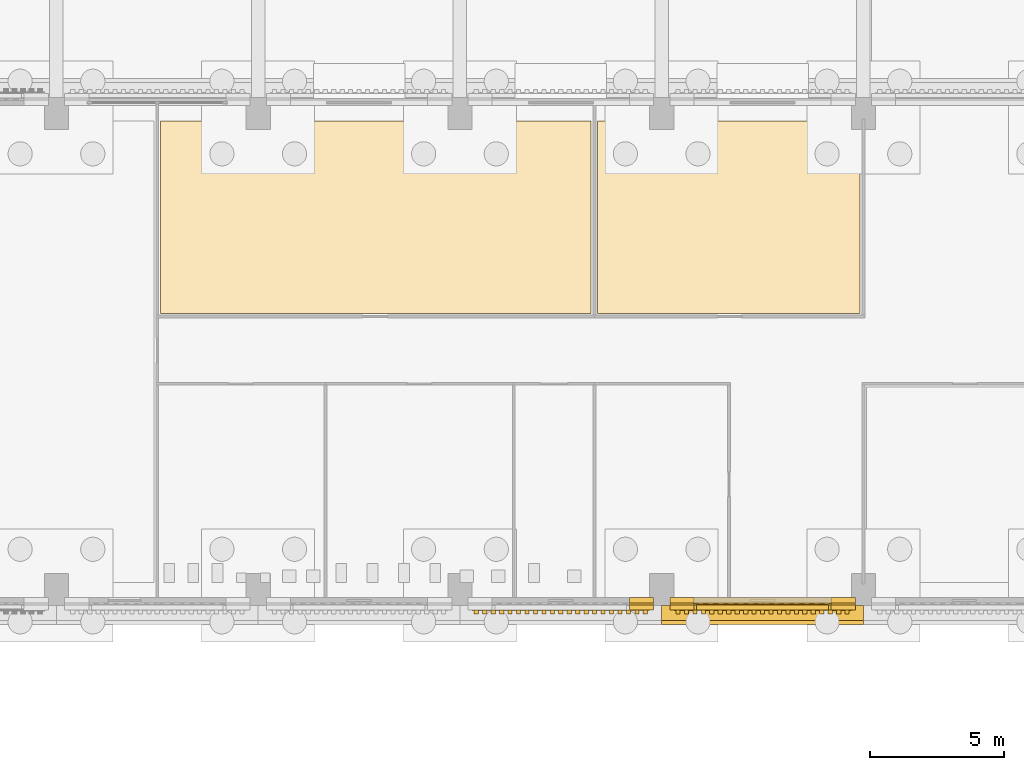
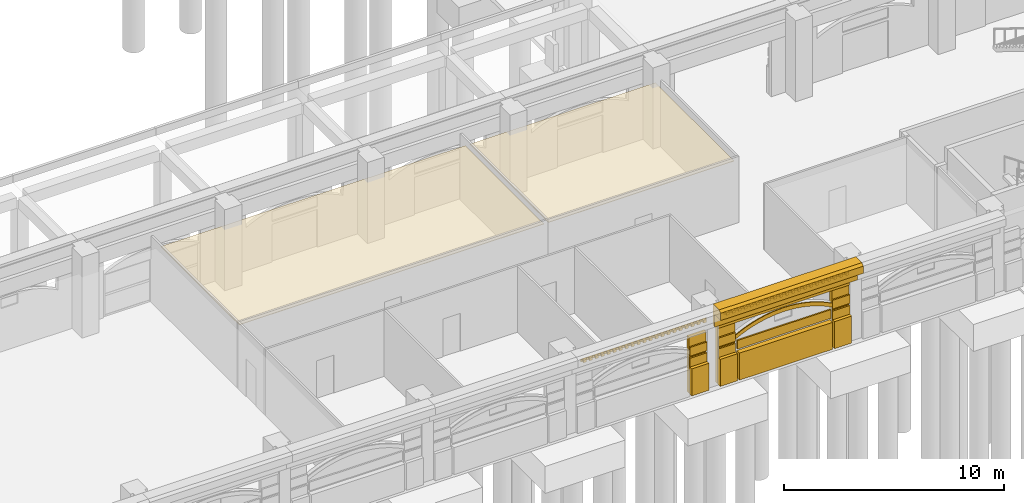
# One storey, part 66 of 99: 21 coverings.
"""IFC4 building model written with IfcOpenShell, lengths in metres."""

import ifcopenshell
import ifcopenshell.guid

model = None  # the IFC model being written
_history = None  # IfcOwnerHistory: only IFC2X3 demands one
_inside = {}  # id of a spatial element -> (the spatial element, [elements in it])
_under = {}  # id of a project, library or spatial element -> (it, [spatial elements below it])
_declared = {}  # id of a project -> (the project, [libraries it declares])
_typed = {}  # id of a type object -> (the type object, [elements of that type])
_made_of = {}  # id of a material, layer set ... -> (it, [elements and type objects made of it])


def new_model(schema):
    """Start an empty IFC model of exactly this schema.

    Asked for "IFC4X3", IfcOpenShell would pick the latest addendum, in which some entities
    have other attributes; the version numbers below select the first issue.
    IFC2X3 requires an IfcOwnerHistory on every rooted entity: one is made here for all.
    """
    global model, _history
    if schema == "IFC4X3":
        model = ifcopenshell.file(schema_version=(4, 3, 0, 0))
    else:
        model = ifcopenshell.file(schema=schema)
    _inside.clear()
    _under.clear()
    _declared.clear()
    _typed.clear()
    _made_of.clear()
    _history = None
    if model.schema == "IFC2X3":
        org = make("IfcOrganization", Name="unknown")
        user = make(
            "IfcPersonAndOrganization",
            ThePerson=make("IfcPerson", FamilyName="unknown"),
            TheOrganization=org,
        )
        app = make(
            "IfcApplication",
            ApplicationDeveloper=org,
            Version="unknown",
            ApplicationFullName="unknown",
            ApplicationIdentifier="unknown",
        )
        _history = make(
            "IfcOwnerHistory",
            OwningUser=user,
            OwningApplication=app,
            ChangeAction="ADDED",
            CreationDate=0,
        )
    return model


def make(cls, **values):
    """One entity of the class cls with the attributes given. An attribute that is None is left unset."""
    return model.create_entity(
        cls, **{name: value for name, value in values.items() if value is not None}
    )


def rooted(cls, **values):
    """An entity with a GlobalId (a new one), such as an element, a storey or a relation."""
    return make(cls, GlobalId=ifcopenshell.guid.new(), OwnerHistory=_history, **values)


def si_unit(unit_type, name, prefix=None):
    """IfcSIUnit, for example si_unit("LENGTHUNIT", "METRE", prefix="MILLI")."""
    return make("IfcSIUnit", UnitType=unit_type, Prefix=prefix, Name=name)


def assignment(units):
    """IfcUnitAssignment: the units of a project."""
    return None if units is None else make("IfcUnitAssignment", Units=units)


def point(xyz):
    """IfcCartesianPoint."""
    return None if xyz is None else make("IfcCartesianPoint", Coordinates=xyz)


def direction(xyz):
    """IfcDirection."""
    return None if xyz is None else make("IfcDirection", DirectionRatios=xyz)


def frame(location, z_axis=None, x_axis=None):
    """IfcAxis2Placement3D, a coordinate frame: its origin and axes. An axis left out is left unset."""
    return make(
        "IfcAxis2Placement3D",
        Location=point(location),
        Axis=direction(z_axis),
        RefDirection=direction(x_axis),
    )


def origin():
    """The frame at (0, 0, 0) with its axes left unset."""
    return frame((0.0, 0.0, 0.0))


def place(relative_to, where):
    """IfcLocalPlacement: puts the frame where relative to a parent placement (None: the world)."""
    return make(
        "IfcLocalPlacement", PlacementRelTo=relative_to, RelativePlacement=where
    )


def context(
    kind, dimensions, precision=None, world=None, true_north=None, identifier=None
):
    """IfcGeometricRepresentationContext, for example the 3D "Model" context."""
    return make(
        "IfcGeometricRepresentationContext",
        ContextIdentifier=identifier,
        ContextType=kind,
        CoordinateSpaceDimension=dimensions,
        Precision=precision,
        WorldCoordinateSystem=world,
        TrueNorth=true_north,
    )


def subcontext(parent, identifier, kind, view, scale=None):
    """IfcGeometricRepresentationSubContext, for example "Body" below "Model"."""
    return make(
        "IfcGeometricRepresentationSubContext",
        ContextIdentifier=identifier,
        ContextType=kind,
        ParentContext=parent,
        TargetScale=scale,
        TargetView=view,
    )


def project(units=None, contexts=None):
    """IfcProject with its units and contexts."""
    return rooted(
        "IfcProject",
        Name="project",
        RepresentationContexts=contexts,
        UnitsInContext=assignment(units),
    )


def spatial(cls, under=None, at=None, **own):
    """A site, building, storey or space (cls), placed at a placement, below another one or the project."""
    s = rooted(cls, ObjectPlacement=at, **own)
    if under is not None:
        _under.setdefault(under.id(), (under, []))[1].append(s)
    return s


def polyline(points):
    """IfcPolyline through the points."""
    return make("IfcPolyline", Points=[point(p) for p in points])


def outline(outer, holes=None, kind="AREA"):
    """IfcArbitraryClosedProfileDef: a profile drawn as a closed curve; with holes, ...WithVoids."""
    if holes is None:
        return make("IfcArbitraryClosedProfileDef", ProfileType=kind, OuterCurve=outer)
    return make(
        "IfcArbitraryProfileDefWithVoids",
        ProfileType=kind,
        OuterCurve=outer,
        InnerCurves=holes,
    )


def extrude(swept, where, along, depth):
    """IfcExtrudedAreaSolid: the profile swept, set in the frame where, extruded along a direction by depth."""
    return make(
        "IfcExtrudedAreaSolid",
        SweptArea=swept,
        Position=where,
        ExtrudedDirection=direction(along),
        Depth=depth,
    )


def shape(context_of_items, identifier, shape_type, items):
    """IfcShapeRepresentation: the items that make up one representation, for example the "Body"."""
    return make(
        "IfcShapeRepresentation",
        ContextOfItems=context_of_items,
        RepresentationIdentifier=identifier,
        RepresentationType=shape_type,
        Items=items,
    )


def material(Name=None, Category=None):
    """IfcMaterial."""
    return make("IfcMaterial", Name=Name, Category=Category)


def layer(
    of_material, thickness, ventilated=None, Name=None, Category=None, Priority=None
):
    """IfcMaterialLayer: one layer of a wall or slab, of a material (None: an air gap)."""
    return make(
        "IfcMaterialLayer",
        Material=of_material,
        LayerThickness=thickness,
        IsVentilated=ventilated,
        Name=Name,
        Category=Category,
        Priority=Priority,
    )


def layer_set(layers, Name=None):
    """IfcMaterialLayerSet."""
    return make("IfcMaterialLayerSet", MaterialLayers=layers, LayerSetName=Name)


def made_of(thing, what):
    """Note that an element or type object is made of a material, layer set ...; save() writes the relation."""
    if what is not None:
        _made_of.setdefault(what.id(), (what, []))[1].append(thing)
    return thing


def type_object(cls, material=None, **own):
    """A type object (cls), such as IfcWallType, which elements share."""
    return made_of(rooted(cls, **own), material)


def element(
    cls,
    number,
    at=None,
    inside=None,
    cuts=None,
    type_object=None,
    material=None,
    context=None,
    identifier="Body",
    shape_type=None,
    held_by="IfcProductDefinitionShape",
    body=None,
    shapes=None,
    **own,
):
    """One element of the class cls, such as IfcWall. Its Tag is "e" and its number.

    at: its placement. inside: the storey or other place that contains it. cuts: it is an
    opening in that element (IfcRelVoidsElement). A single representation is given by context,
    identifier, shape_type and body (its items); several are given by shapes. held_by: the class
    of the entity that holds the representations. save() writes the other relations.
    """
    e = rooted(cls, Tag="e%d" % number, ObjectPlacement=at, **own)
    if body is not None:
        shapes = [shape(context, identifier, shape_type, body)]
    if shapes is not None:
        e.Representation = make(held_by, Representations=shapes)
    if inside is not None:
        _inside.setdefault(inside.id(), (inside, []))[1].append(e)
    if cuts is not None:
        rooted(
            "IfcRelVoidsElement", RelatingBuildingElement=cuts, RelatedOpeningElement=e
        )
    if type_object is not None:
        _typed.setdefault(type_object.id(), (type_object, []))[1].append(e)
    return made_of(e, material)


def aggregate(whole, parts):
    """IfcRelAggregates: a whole, such as a stair, and the parts it consists of."""
    return rooted("IfcRelAggregates", RelatingObject=whole, RelatedObjects=parts)


def save(model, path):
    """Write the relations noted so far, then the file.

    IfcRelAggregates (storeys below a building ...), IfcRelContainedInSpatialStructure (elements
    in a storey), IfcRelDefinesByType, IfcRelAssociatesMaterial and IfcRelDeclares: one each for
    every whole, place, type object, material and project.
    """
    for whole, parts in _under.values():
        aggregate(whole, parts)
    for where, things in _inside.values():
        rooted(
            "IfcRelContainedInSpatialStructure",
            RelatedElements=things,
            RelatingStructure=where,
        )
    for kind, things in _typed.values():
        rooted("IfcRelDefinesByType", RelatedObjects=things, RelatingType=kind)
    for what, things in _made_of.values():
        rooted("IfcRelAssociatesMaterial", RelatedObjects=things, RelatingMaterial=what)
    for by, libraries in _declared.values():
        rooted("IfcRelDeclares", RelatingContext=by, RelatedDefinitions=libraries)
    model.write(path)


model = new_model("IFC4")

# Units and contexts
model_context = context("Model", 3, precision=1e-05, world=origin(), true_north=direction((0.0, 1.0)))
body_context = subcontext(model_context, "Body", "Model", "MODEL_VIEW")
ifc_project = project(units=[si_unit("LENGTHUNIT", "METRE"), si_unit("AREAUNIT", "SQUARE_METRE"), si_unit("VOLUMEUNIT", "CUBIC_METRE"), si_unit("PLANEANGLEUNIT", "RADIAN"), si_unit("MASSUNIT", "GRAM", prefix="KILO")], contexts=[model_context])

# Site, building, storey
site_placement = place(None, origin())
site = spatial("IfcSite", under=ifc_project, at=site_placement, CompositionType="ELEMENT")
building_placement = place(site_placement, origin())
building = spatial("IfcBuilding", under=site, at=building_placement, Name="Cour d'Honneur Mobility Palace", CompositionType="ELEMENT")
storey_placement = place(building_placement, origin())
storey = spatial("IfcBuildingStorey", under=building, at=storey_placement, Name="L00", CompositionType="ELEMENT", Elevation=0.0)

# Coverings
ifc_material_1 = material(Name="Cast limestone", Category="masonry")
ifc_layer_1 = layer(ifc_material_1, 0.050048828125)
ifc_layer_set_1 = layer_set([ifc_layer_1], Name="Cast limestone")
covering_type_1 = type_object("IfcCoveringType", Name="Arch hood", PredefinedType="CLADDING", material=ifc_layer_set_1)
covering_1_placement = place(storey_placement, frame((56.10009765625, 44.300048828125, 2.179931640625), z_axis=(0.0, -1.0, 0.0), x_axis=(0.893466628376, 0.0, 0.449129584839)))
element("IfcCovering", 1, at=covering_1_placement, inside=storey, type_object=covering_type_1, Name="Arch hood AH-12", PredefinedType="CLADDING", context=body_context, shape_type="SweptSolid", body=[
    extrude(outline(polyline([(0.0, 0.0), (0.35659251896621735, 0.0), (0.7019994885684498, -0.022795326888668588), (1.0365522012474004, -0.0666397586034293), (1.3614544754480467, -0.13022567619190017), (1.6770364335570624, -0.21235277137119013), (1.9834088964060255, -0.3122569988605455), (2.2812274285521696, -0.4297213972129261), (2.5701654177709066, -0.564308533372167), (2.850768777841922, -0.7160195773922962), (3.122709726486599, -0.8849630099968336), (3.38566048142632, -1.0712473119092998), (3.6398380041081246, -1.2755280476869282), (3.8844770791972314, -1.4982403102778272), (4.119465715808033, -1.740694058742436), (4.343818226996622, -2.004306562810686), (4.556548925819088, -2.2904950922125074), (4.655344276390369, -2.0939586097498237), (4.44272322834545, -1.807551948846934), (4.218261066379314, -1.5441575762797524), (3.983272429768512, -1.3017038278151434), (3.7387430054569535, -1.078773433723176), (3.4844558319976, -0.8747108294466162), (3.221505077057879, -0.68842652753415), (2.949564128413202, -0.5194830949296125), (2.6689607683421865, -0.3677720509094833), (2.3800227791234496, -0.2331849147502425), (2.0822042469773057, -0.11572051639786185), (1.7758317841283424, -0.015816288908506504), (1.4603594767968753, 0.06652893777185187), (1.1353475518186806, 0.12989672385925438), (0.8007948391397299, 0.17374115557401504), (0.45549752031504603, 0.1967546139637521), (0.09879535057128006, 0.19653648246268365), (0.0, 0.0)])), origin(), (0.0, 0.0, -1.0), 0.050048828125),
])
ifc_material_2 = material(Name="Cast limestone", Category="masonry")
ifc_layer_2 = layer(ifc_material_2, 0.14990234375)
ifc_layer_set_2 = layer_set([ifc_layer_2], Name="Cast limestone")
covering_type_2 = type_object("IfcCoveringType", Name="Dentil course", PredefinedType="CLADDING", material=ifc_layer_set_2)
covering_2_placement = place(storey_placement, frame((0.0, 0.0, 3.949951171875)))
element("IfcCovering", 2, at=covering_2_placement, inside=storey, type_object=covering_type_2, Name="Dentil course DC-9", PredefinedType="CLADDING", context=body_context, shape_type="SweptSolid", body=[
    extrude(outline(polyline([(47.85009765625, 44.10009765625), (54.449951171875, 44.10009765625), (54.449951171875, 44.070068359375), (54.449951171875, 44.070068359375), (54.371337890625, 44.070068359375), (54.371337890625, 43.949951171875), (54.21435546875, 43.949951171875), (54.21435546875, 44.070068359375), (54.1357421875, 44.070068359375), (54.1357421875, 44.070068359375), (54.05712890625, 44.070068359375), (54.05712890625, 43.949951171875), (53.89990234375, 43.949951171875), (53.89990234375, 44.070068359375), (53.821533203125, 44.070068359375), (53.821533203125, 44.070068359375), (53.742919921875, 44.070068359375), (53.742919921875, 43.949951171875), (53.585693359375, 43.949951171875), (53.585693359375, 44.070068359375), (53.507080078125, 44.070068359375), (53.507080078125, 44.070068359375), (53.428466796875, 44.070068359375), (53.428466796875, 43.949951171875), (53.271484375, 43.949951171875), (53.271484375, 44.070068359375), (53.19287109375, 44.070068359375), (53.19287109375, 44.070068359375), (53.1142578125, 44.070068359375), (53.1142578125, 43.949951171875), (52.95703125, 43.949951171875), (52.95703125, 44.070068359375), (52.878662109375, 44.070068359375), (52.878662109375, 44.070068359375), (52.800048828125, 44.070068359375), (52.800048828125, 43.949951171875), (52.642822265625, 43.949951171875), (52.642822265625, 44.070068359375), (52.564208984375, 44.070068359375), (52.564208984375, 44.070068359375), (52.485595703125, 44.070068359375), (52.485595703125, 43.949951171875), (52.32861328125, 43.949951171875), (52.32861328125, 44.070068359375), (52.25, 44.070068359375), (52.25, 44.070068359375), (52.17138671875, 44.070068359375), (52.17138671875, 43.949951171875), (52.014404296875, 43.949951171875), (52.014404296875, 44.070068359375), (51.935791015625, 44.070068359375), (51.935791015625, 44.070068359375), (51.857177734375, 44.070068359375), (51.857177734375, 43.949951171875), (51.699951171875, 43.949951171875), (51.699951171875, 44.070068359375), (51.621337890625, 44.070068359375), (51.621337890625, 44.070068359375), (51.54296875, 44.070068359375), (51.54296875, 43.949951171875), (51.3857421875, 43.949951171875), (51.3857421875, 44.070068359375), (51.30712890625, 44.070068359375), (51.30712890625, 44.070068359375), (51.228515625, 44.070068359375), (51.228515625, 43.949951171875), (51.071533203125, 43.949951171875), (51.071533203125, 44.070068359375), (50.992919921875, 44.070068359375), (50.992919921875, 44.070068359375), (50.914306640625, 44.070068359375), (50.914306640625, 43.949951171875), (50.757080078125, 43.949951171875), (50.757080078125, 44.070068359375), (50.678466796875, 44.070068359375), (50.678466796875, 44.070068359375), (50.60009765625, 44.070068359375), (50.60009765625, 43.949951171875), (50.44287109375, 43.949951171875), (50.44287109375, 44.070068359375), (50.3642578125, 44.070068359375), (50.3642578125, 44.070068359375), (50.28564453125, 44.070068359375), (50.28564453125, 43.949951171875), (50.128662109375, 43.949951171875), (50.128662109375, 44.070068359375), (50.050048828125, 44.070068359375), (50.050048828125, 44.070068359375), (49.971435546875, 44.070068359375), (49.971435546875, 43.949951171875), (49.814208984375, 43.949951171875), (49.814208984375, 44.070068359375), (49.735595703125, 44.070068359375), (49.735595703125, 44.070068359375), (49.6572265625, 44.070068359375), (49.6572265625, 43.949951171875), (49.5, 43.949951171875), (49.5, 44.070068359375), (49.42138671875, 44.070068359375), (49.42138671875, 44.070068359375), (49.3427734375, 44.070068359375), (49.3427734375, 43.949951171875), (49.185791015625, 43.949951171875), (49.185791015625, 44.070068359375), (49.107177734375, 44.070068359375), (49.107177734375, 44.070068359375), (49.028564453125, 44.070068359375), (49.028564453125, 43.949951171875), (48.871337890625, 43.949951171875), (48.871337890625, 44.070068359375), (48.79296875, 44.070068359375), (48.79296875, 44.070068359375), (48.71435546875, 44.070068359375), (48.71435546875, 43.949951171875), (48.55712890625, 43.949951171875), (48.55712890625, 44.070068359375), (48.478515625, 44.070068359375), (48.478515625, 44.070068359375), (48.39990234375, 44.070068359375), (48.39990234375, 43.949951171875), (48.242919921875, 43.949951171875), (48.242919921875, 44.070068359375), (48.164306640625, 44.070068359375), (48.164306640625, 44.070068359375), (48.085693359375, 44.070068359375), (48.085693359375, 43.949951171875), (47.928466796875, 43.949951171875), (47.928466796875, 44.070068359375), (47.85009765625, 44.070068359375), (47.85009765625, 44.10009765625)])), origin(), (0.0, 0.0, 1.0), 0.150146484375),
])
covering_3_placement = place(storey_placement, frame((0.0, 0.0, 3.949951171875)))
element("IfcCovering", 3, at=covering_3_placement, inside=storey, type_object=covering_type_2, Name="Dentil course DC-10", PredefinedType="CLADDING", context=body_context, shape_type="SweptSolid", body=[
    extrude(outline(polyline([(55.35009765625, 44.10009765625), (61.949951171875, 44.10009765625), (61.949951171875, 44.070068359375), (61.949951171875, 44.070068359375), (61.871337890625, 44.070068359375), (61.871337890625, 43.949951171875), (61.71435546875, 43.949951171875), (61.71435546875, 44.070068359375), (61.6357421875, 44.070068359375), (61.6357421875, 44.070068359375), (61.55712890625, 44.070068359375), (61.55712890625, 43.949951171875), (61.39990234375, 43.949951171875), (61.39990234375, 44.070068359375), (61.321533203125, 44.070068359375), (61.321533203125, 44.070068359375), (61.242919921875, 44.070068359375), (61.242919921875, 43.949951171875), (61.085693359375, 43.949951171875), (61.085693359375, 44.070068359375), (61.007080078125, 44.070068359375), (61.007080078125, 44.070068359375), (60.928466796875, 44.070068359375), (60.928466796875, 43.949951171875), (60.771484375, 43.949951171875), (60.771484375, 44.070068359375), (60.69287109375, 44.070068359375), (60.69287109375, 44.070068359375), (60.6142578125, 44.070068359375), (60.6142578125, 43.949951171875), (60.45703125, 43.949951171875), (60.45703125, 44.070068359375), (60.378662109375, 44.070068359375), (60.378662109375, 44.070068359375), (60.300048828125, 44.070068359375), (60.300048828125, 43.949951171875), (60.142822265625, 43.949951171875), (60.142822265625, 44.070068359375), (60.064208984375, 44.070068359375), (60.064208984375, 44.070068359375), (59.985595703125, 44.070068359375), (59.985595703125, 43.949951171875), (59.82861328125, 43.949951171875), (59.82861328125, 44.070068359375), (59.75, 44.070068359375), (59.75, 44.070068359375), (59.67138671875, 44.070068359375), (59.67138671875, 43.949951171875), (59.514404296875, 43.949951171875), (59.514404296875, 44.070068359375), (59.435791015625, 44.070068359375), (59.435791015625, 44.070068359375), (59.357177734375, 44.070068359375), (59.357177734375, 43.949951171875), (59.199951171875, 43.949951171875), (59.199951171875, 44.070068359375), (59.121337890625, 44.070068359375), (59.121337890625, 44.070068359375), (59.04296875, 44.070068359375), (59.04296875, 43.949951171875), (58.8857421875, 43.949951171875), (58.8857421875, 44.070068359375), (58.80712890625, 44.070068359375), (58.80712890625, 44.070068359375), (58.728515625, 44.070068359375), (58.728515625, 43.949951171875), (58.571533203125, 43.949951171875), (58.571533203125, 44.070068359375), (58.492919921875, 44.070068359375), (58.492919921875, 44.070068359375), (58.414306640625, 44.070068359375), (58.414306640625, 43.949951171875), (58.257080078125, 43.949951171875), (58.257080078125, 44.070068359375), (58.178466796875, 44.070068359375), (58.178466796875, 44.070068359375), (58.10009765625, 44.070068359375), (58.10009765625, 43.949951171875), (57.94287109375, 43.949951171875), (57.94287109375, 44.070068359375), (57.8642578125, 44.070068359375), (57.8642578125, 44.070068359375), (57.78564453125, 44.070068359375), (57.78564453125, 43.949951171875), (57.628662109375, 43.949951171875), (57.628662109375, 44.070068359375), (57.550048828125, 44.070068359375), (57.550048828125, 44.070068359375), (57.471435546875, 44.070068359375), (57.471435546875, 43.949951171875), (57.314208984375, 43.949951171875), (57.314208984375, 44.070068359375), (57.235595703125, 44.070068359375), (57.235595703125, 44.070068359375), (57.1572265625, 44.070068359375), (57.1572265625, 43.949951171875), (57.0, 43.949951171875), (57.0, 44.070068359375), (56.92138671875, 44.070068359375), (56.92138671875, 44.070068359375), (56.8427734375, 44.070068359375), (56.8427734375, 43.949951171875), (56.685791015625, 43.949951171875), (56.685791015625, 44.070068359375), (56.607177734375, 44.070068359375), (56.607177734375, 44.070068359375), (56.528564453125, 44.070068359375), (56.528564453125, 43.949951171875), (56.371337890625, 43.949951171875), (56.371337890625, 44.070068359375), (56.29296875, 44.070068359375), (56.29296875, 44.070068359375), (56.21435546875, 44.070068359375), (56.21435546875, 43.949951171875), (56.05712890625, 43.949951171875), (56.05712890625, 44.070068359375), (55.978515625, 44.070068359375), (55.978515625, 44.070068359375), (55.89990234375, 44.070068359375), (55.89990234375, 43.949951171875), (55.742919921875, 43.949951171875), (55.742919921875, 44.070068359375), (55.664306640625, 44.070068359375), (55.664306640625, 44.070068359375), (55.585693359375, 44.070068359375), (55.585693359375, 43.949951171875), (55.428466796875, 43.949951171875), (55.428466796875, 44.070068359375), (55.35009765625, 44.070068359375), (55.35009765625, 44.10009765625)])), origin(), (0.0, 0.0, 1.0), 0.150146484375),
])
ifc_material_3 = material(Name="Cast limestone", Category="masonry")
ifc_layer_3 = layer(ifc_material_3, 0.699951171875)
ifc_layer_set_3 = layer_set([ifc_layer_3], Name="Cast limestone")
covering_type_3 = type_object("IfcCoveringType", Name="Entablature", PredefinedType="CLADDING", material=ifc_layer_set_3)
covering_4_placement = place(storey_placement, frame((54.89990234375, 44.25, 3.39990234375), z_axis=(-1.0, 0.0, 0.0), x_axis=(0.0, -1.0, 0.0)))
element("IfcCovering", 4, at=covering_4_placement, inside=storey, type_object=covering_type_3, Name="Entablature EN-10", PredefinedType="CLADDING", context=body_context, shape_type="SweptSolid", body=[
    extrude(outline(polyline([(0.0, 0.0), (0.14990234375, 0.0), (0.14990234375, 0.7001953125), (0.699951171875, 0.7001953125), (0.699951171875, 1.10009765625), (0.550048828125, 1.2001953125), (0.0, 1.2001953125), (0.0, 0.0)])), origin(), (0.0, 0.0, -1.0), 7.5),
])
ifc_material_4 = material(Name="Cast limestone", Category="masonry")
ifc_layer_4 = layer(ifc_material_4, 0.25)
ifc_layer_set_4 = layer_set([ifc_layer_4], Name="Cast limestone")
covering_type_4 = type_object("IfcCoveringType", Name="Plinth course", PredefinedType="CLADDING", material=ifc_layer_set_4)
covering_5_placement = place(storey_placement, origin())
element("IfcCovering", 5, at=covering_5_placement, inside=storey, type_object=covering_type_4, Name="Plinth course PI-34", PredefinedType="CLADDING", context=body_context, shape_type="SweptSolid", body=[
    extrude(outline(polyline([(53.699951171875, 44.35009765625), (54.60009765625, 44.35009765625), (54.60009765625, 44.10009765625), (53.699951171875, 44.10009765625), (53.699951171875, 44.35009765625)])), origin(), (0.0, 0.0, 1.0), 1.5),
])
covering_6_placement = place(storey_placement, origin())
element("IfcCovering", 6, at=covering_6_placement, inside=storey, type_object=covering_type_4, Name="Plinth course PI-36", PredefinedType="CLADDING", context=body_context, shape_type="SweptSolid", body=[
    extrude(outline(polyline([(55.199951171875, 44.35009765625), (56.10009765625, 44.35009765625), (56.10009765625, 44.10009765625), (55.199951171875, 44.10009765625), (55.199951171875, 44.35009765625)])), origin(), (0.0, 0.0, 1.0), 1.5),
])
covering_7_placement = place(storey_placement, origin())
element("IfcCovering", 7, at=covering_7_placement, inside=storey, type_object=covering_type_4, Name="Plinth course PI-37", PredefinedType="CLADDING", context=body_context, shape_type="SweptSolid", body=[
    extrude(outline(polyline([(61.199951171875, 44.35009765625), (62.10009765625, 44.35009765625), (62.10009765625, 44.10009765625), (61.199951171875, 44.10009765625), (61.199951171875, 44.35009765625)])), origin(), (0.0, 0.0, 1.0), 1.5),
])
covering_8_placement = place(storey_placement, origin())
element("IfcCovering", 8, at=covering_8_placement, inside=storey, type_object=covering_type_4, Name="Plinth course PI-38", PredefinedType="CLADDING", context=body_context, shape_type="SweptSolid", body=[
    extrude(outline(polyline([(56.199951171875, 44.35009765625), (61.10009765625, 44.35009765625), (61.10009765625, 44.10009765625), (56.199951171875, 44.10009765625), (56.199951171875, 44.35009765625)])), origin(), (0.0, 0.0, 1.0), 1.5),
])
ifc_material_5 = material(Name="Cast limestone", Category="masonry")
ifc_layer_5 = layer(ifc_material_5, 0.199951171875)
ifc_layer_set_5 = layer_set([ifc_layer_5], Name="Cast limestone")
covering_type_5 = type_object("IfcCoveringType", Name="Rusticated jamb panel", PredefinedType="CLADDING", material=ifc_layer_set_5)
for number, where, z_axis, x_axis, name in (
    (9, (53.699951171875, 44.35009765625, 0.0), (0.0, -1.0, 0.0), (1.0, 0.0, 0.0), "Rusticated jamb panel RP-26"),
    (10, (55.199951171875, 44.35009765625, 0.0), (0.0, -1.0, 0.0), (1.0, 0.0, 0.0), "Rusticated jamb panel RP-27"),
    (11, (61.199951171875, 44.35009765625, 0.0), (0.0, -1.0, 0.0), (1.0, 0.0, 0.0), "Rusticated jamb panel RP-28"),
):
    element("IfcCovering", number, at=place(storey_placement, frame(where, z_axis=z_axis, x_axis=x_axis)), inside=storey, type_object=covering_type_5, Name=name, PredefinedType="CLADDING", context=body_context, shape_type="SweptSolid", body=[
        extrude(outline(polyline([(0.0, 0.0), (0.900146484375, 0.0), (0.900146484375, 3.10009765625), (0.0, 3.10009765625), (0.0, 0.0)])), origin(), (0.0, 0.0, -1.0), 0.199951171875),
    ])
ifc_material_6 = material(Name="Cast limestone", Category="masonry")
ifc_layer_6 = layer(ifc_material_6, 0.080078125)
ifc_layer_set_6 = layer_set([ifc_layer_6], Name="Cast limestone")
covering_type_6 = type_object("IfcCoveringType", Name="Rustication course", PredefinedType="CLADDING", material=ifc_layer_set_6)
for number, where, name in (
    (12, (0.0, 0.0, 1.5), "Rustication course RC-57"),
    (13, (0.0, 0.0, 2.10009765625), "Rustication course RC-58"),
):
    element("IfcCovering", number, at=place(storey_placement, frame(where)), inside=storey, type_object=covering_type_6, Name=name, PredefinedType="CLADDING", context=body_context, shape_type="SweptSolid", body=[
        extrude(outline(polyline([(53.699951171875, 44.35009765625), (54.60009765625, 44.35009765625), (54.60009765625, 44.27001953125), (53.699951171875, 44.27001953125), (53.699951171875, 44.35009765625)])), origin(), (0.0, 0.0, 1.0), 0.47998046875),
    ])
for number, where, name in (
    (14, (0.0, 0.0, 1.5), "Rustication course RC-60"),
    (15, (0.0, 0.0, 2.10009765625), "Rustication course RC-61"),
):
    element("IfcCovering", number, at=place(storey_placement, frame(where)), inside=storey, type_object=covering_type_6, Name=name, PredefinedType="CLADDING", context=body_context, shape_type="SweptSolid", body=[
        extrude(outline(polyline([(55.199951171875, 44.35009765625), (56.10009765625, 44.35009765625), (56.10009765625, 44.27001953125), (55.199951171875, 44.27001953125), (55.199951171875, 44.35009765625)])), origin(), (0.0, 0.0, 1.0), 0.47998046875),
    ])
for number, where, name in (
    (16, (0.0, 0.0, 1.5), "Rustication course RC-62"),
    (17, (0.0, 0.0, 2.10009765625), "Rustication course RC-63"),
):
    element("IfcCovering", number, at=place(storey_placement, frame(where)), inside=storey, type_object=covering_type_6, Name=name, PredefinedType="CLADDING", context=body_context, shape_type="SweptSolid", body=[
        extrude(outline(polyline([(61.199951171875, 44.35009765625), (62.10009765625, 44.35009765625), (62.10009765625, 44.27001953125), (61.199951171875, 44.27001953125), (61.199951171875, 44.35009765625)])), origin(), (0.0, 0.0, 1.0), 0.47998046875),
    ])
covering_9_placement = place(storey_placement, frame((0.0, 0.0, 1.6201171875)))
element("IfcCovering", 18, at=covering_9_placement, inside=storey, type_object=covering_type_6, Name="Rustication course RC-64", PredefinedType="CLADDING", context=body_context, shape_type="SweptSolid", body=[
    extrude(outline(polyline([(56.199951171875, 44.35009765625), (61.10009765625, 44.35009765625), (61.10009765625, 44.27001953125), (56.199951171875, 44.27001953125), (56.199951171875, 44.35009765625)])), origin(), (0.0, 0.0, 1.0), 0.47998046875),
])
ifc_material_7 = material(Name="Cast limestone", Category="masonry")
ifc_layer_7 = layer(ifc_material_7, 0.25)
ifc_layer_set_7 = layer_set([ifc_layer_7], Name="Cast limestone")
covering_type_7 = type_object("IfcCoveringType", Name="Spandrel cladding", PredefinedType="CLADDING", material=ifc_layer_set_7)
covering_10_placement = place(storey_placement, frame((55.199951171875, 44.550048828125, 3.10009765625), z_axis=(-1.0, 0.0, 0.0), x_axis=(0.0, -1.0, 0.0)))
element("IfcCovering", 19, at=covering_10_placement, inside=storey, type_object=covering_type_7, Name="Spandrel cladding SK-10", PredefinedType="CLADDING", context=body_context, shape_type="SweptSolid", body=[
    extrude(outline(polyline([(0.0, 0.0), (0.25, 0.0), (0.25, 1.39990234375), (0.199951171875, 1.39990234375), (0.199951171875, 0.7998046875), (0.0, 0.7998046875), (0.0, 0.0)])), origin(), (0.0, 0.0, -1.0), 6.89990234375),
])
ifc_material_8 = material(Name="Suspended ceiling")
ifc_layer_8 = layer(ifc_material_8, 0.030029296875)
ifc_layer_set_8 = layer_set([ifc_layer_8], Name="Suspended ceiling")
covering_type_8 = type_object("IfcCoveringType", Name="Suspended ceiling", PredefinedType="CEILING", material=ifc_layer_set_8)
covering_11_placement = place(storey_placement, frame((0.0, 0.0, 3.35009765625)))
element("IfcCovering", 20, at=covering_11_placement, inside=storey, type_object=covering_type_8, Name="Ceiling Station Cafe", PredefinedType="CEILING", context=body_context, shape_type="SweptSolid", body=[
    extrude(outline(polyline([(52.280029296875, 55.1201171875), (36.27001953125, 55.1201171875), (36.27001953125, 62.280029296875), (52.280029296875, 62.280029296875), (52.280029296875, 55.1201171875)])), origin(), (0.0, 0.0, 1.0), 0.02978515625),
])
covering_12_placement = place(storey_placement, frame((0.0, 0.0, 3.35009765625)))
element("IfcCovering", 21, at=covering_12_placement, inside=storey, type_object=covering_type_8, Name="Ceiling Newsagent Kiosk", PredefinedType="CEILING", context=body_context, shape_type="SweptSolid", body=[
    extrude(outline(polyline([(62.280029296875, 55.1201171875), (52.52001953125, 55.1201171875), (52.52001953125, 62.280029296875), (62.280029296875, 62.280029296875), (62.280029296875, 55.1201171875)])), origin(), (0.0, 0.0, 1.0), 0.02978515625),
])

save(model, "model.ifc")
